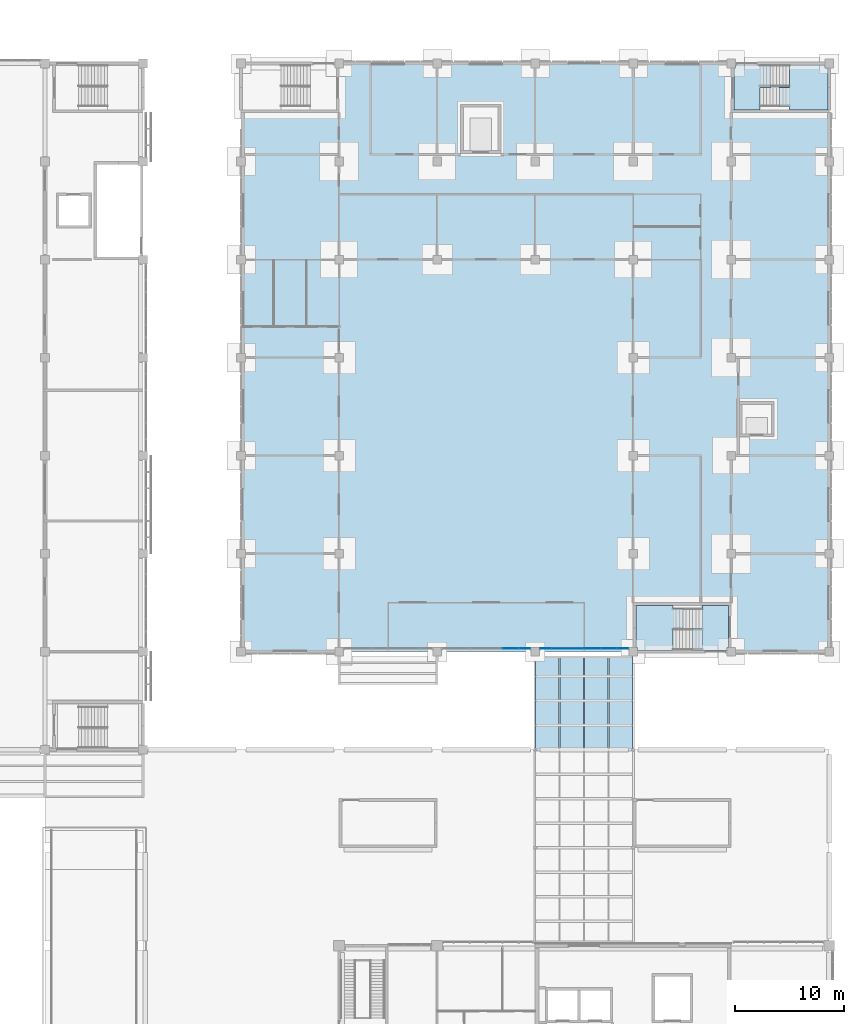
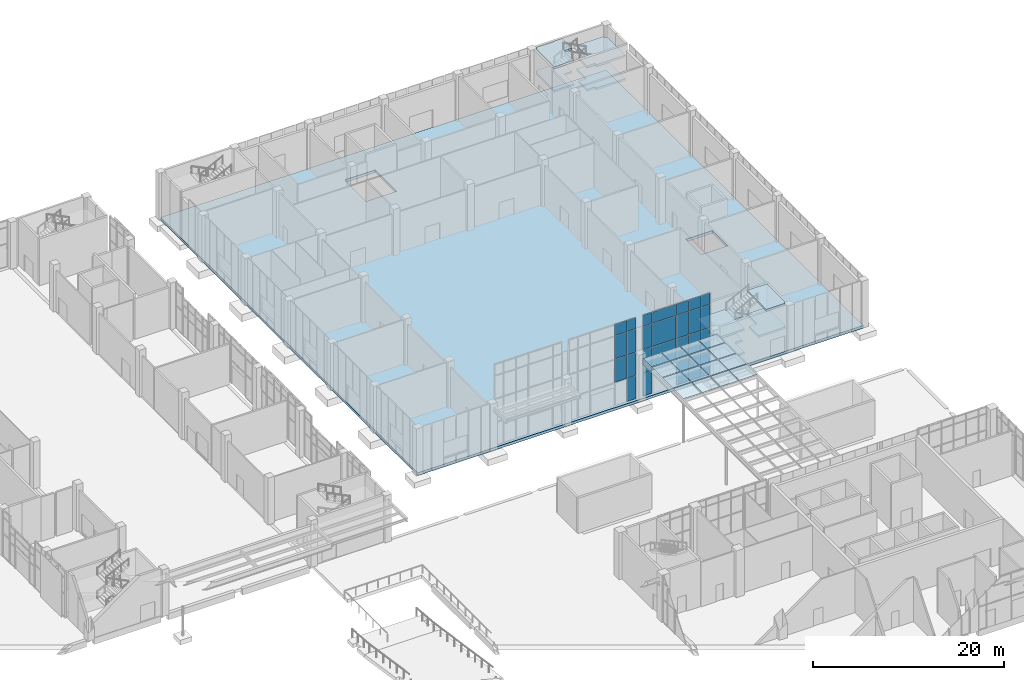
# One storey, part 49 of 86: 42 plates, 9 slabs, 4 elements without a shape of their own.
"""IFC4 building model written with IfcOpenShell, lengths in metres."""

import ifcopenshell
import ifcopenshell.guid

model = None  # the IFC model being written
_history = None  # IfcOwnerHistory: only IFC2X3 demands one
_inside = {}  # id of a spatial element -> (the spatial element, [elements in it])
_under = {}  # id of a project, library or spatial element -> (it, [spatial elements below it])
_declared = {}  # id of a project -> (the project, [libraries it declares])
_typed = {}  # id of a type object -> (the type object, [elements of that type])
_made_of = {}  # id of a material, layer set ... -> (it, [elements and type objects made of it])


def new_model(schema):
    """Start an empty IFC model of exactly this schema.

    Asked for "IFC4X3", IfcOpenShell would pick the latest addendum, in which some entities
    have other attributes; the version numbers below select the first issue.
    IFC2X3 requires an IfcOwnerHistory on every rooted entity: one is made here for all.
    """
    global model, _history
    if schema == "IFC4X3":
        model = ifcopenshell.file(schema_version=(4, 3, 0, 0))
    else:
        model = ifcopenshell.file(schema=schema)
    _inside.clear()
    _under.clear()
    _declared.clear()
    _typed.clear()
    _made_of.clear()
    _history = None
    if model.schema == "IFC2X3":
        org = make("IfcOrganization", Name="unknown")
        user = make(
            "IfcPersonAndOrganization",
            ThePerson=make("IfcPerson", FamilyName="unknown"),
            TheOrganization=org,
        )
        app = make(
            "IfcApplication",
            ApplicationDeveloper=org,
            Version="unknown",
            ApplicationFullName="unknown",
            ApplicationIdentifier="unknown",
        )
        _history = make(
            "IfcOwnerHistory",
            OwningUser=user,
            OwningApplication=app,
            ChangeAction="ADDED",
            CreationDate=0,
        )
    return model


def make(cls, **values):
    """One entity of the class cls with the attributes given. An attribute that is None is left unset."""
    return model.create_entity(
        cls, **{name: value for name, value in values.items() if value is not None}
    )


def rooted(cls, **values):
    """An entity with a GlobalId (a new one), such as an element, a storey or a relation."""
    return make(cls, GlobalId=ifcopenshell.guid.new(), OwnerHistory=_history, **values)


def si_unit(unit_type, name, prefix=None):
    """IfcSIUnit, for example si_unit("LENGTHUNIT", "METRE", prefix="MILLI")."""
    return make("IfcSIUnit", UnitType=unit_type, Prefix=prefix, Name=name)


def assignment(units):
    """IfcUnitAssignment: the units of a project."""
    return None if units is None else make("IfcUnitAssignment", Units=units)


def point(xyz):
    """IfcCartesianPoint."""
    return None if xyz is None else make("IfcCartesianPoint", Coordinates=xyz)


def direction(xyz):
    """IfcDirection."""
    return None if xyz is None else make("IfcDirection", DirectionRatios=xyz)


def frame(location, z_axis=None, x_axis=None):
    """IfcAxis2Placement3D, a coordinate frame: its origin and axes. An axis left out is left unset."""
    return make(
        "IfcAxis2Placement3D",
        Location=point(location),
        Axis=direction(z_axis),
        RefDirection=direction(x_axis),
    )


def frame_2d(location, x_axis=None):
    """IfcAxis2Placement2D, a coordinate frame in the plane: its origin and x axis."""
    return make(
        "IfcAxis2Placement2D", Location=point(location), RefDirection=direction(x_axis)
    )


def origin():
    """The frame at (0, 0, 0) with its axes left unset."""
    return frame((0.0, 0.0, 0.0))


def origin_2d():
    """The frame at (0, 0) in the plane with its x axis left unset."""
    return frame_2d((0.0, 0.0))


def place(relative_to, where):
    """IfcLocalPlacement: puts the frame where relative to a parent placement (None: the world)."""
    return make(
        "IfcLocalPlacement", PlacementRelTo=relative_to, RelativePlacement=where
    )


def context(
    kind, dimensions, precision=None, world=None, true_north=None, identifier=None
):
    """IfcGeometricRepresentationContext, for example the 3D "Model" context."""
    return make(
        "IfcGeometricRepresentationContext",
        ContextIdentifier=identifier,
        ContextType=kind,
        CoordinateSpaceDimension=dimensions,
        Precision=precision,
        WorldCoordinateSystem=world,
        TrueNorth=true_north,
    )


def subcontext(parent, identifier, kind, view, scale=None):
    """IfcGeometricRepresentationSubContext, for example "Body" below "Model"."""
    return make(
        "IfcGeometricRepresentationSubContext",
        ContextIdentifier=identifier,
        ContextType=kind,
        ParentContext=parent,
        TargetScale=scale,
        TargetView=view,
    )


def project(units=None, contexts=None):
    """IfcProject with its units and contexts."""
    return rooted(
        "IfcProject",
        Name="project",
        RepresentationContexts=contexts,
        UnitsInContext=assignment(units),
    )


def spatial(cls, under=None, at=None, **own):
    """A site, building, storey or space (cls), placed at a placement, below another one or the project."""
    s = rooted(cls, ObjectPlacement=at, **own)
    if under is not None:
        _under.setdefault(under.id(), (under, []))[1].append(s)
    return s


def polyline(points):
    """IfcPolyline through the points."""
    return make("IfcPolyline", Points=[point(p) for p in points])


def profile(cls, at=None, kind="AREA", **sizes):
    """A parametric profile (cls). Its sizes go by their IFC names, for example OverallWidth=200.0."""
    return make(cls, ProfileType=kind, Position=at, **sizes)


def rectangle(**sizes):
    """IfcRectangleProfileDef."""
    return profile("IfcRectangleProfileDef", **sizes)


def outline(outer, holes=None, kind="AREA"):
    """IfcArbitraryClosedProfileDef: a profile drawn as a closed curve; with holes, ...WithVoids."""
    if holes is None:
        return make("IfcArbitraryClosedProfileDef", ProfileType=kind, OuterCurve=outer)
    return make(
        "IfcArbitraryProfileDefWithVoids",
        ProfileType=kind,
        OuterCurve=outer,
        InnerCurves=holes,
    )


def extrude(swept, where, along, depth):
    """IfcExtrudedAreaSolid: the profile swept, set in the frame where, extruded along a direction by depth."""
    return make(
        "IfcExtrudedAreaSolid",
        SweptArea=swept,
        Position=where,
        ExtrudedDirection=direction(along),
        Depth=depth,
    )


def shape(context_of_items, identifier, shape_type, items):
    """IfcShapeRepresentation: the items that make up one representation, for example the "Body"."""
    return make(
        "IfcShapeRepresentation",
        ContextOfItems=context_of_items,
        RepresentationIdentifier=identifier,
        RepresentationType=shape_type,
        Items=items,
    )


def material(Name=None, Category=None):
    """IfcMaterial."""
    return make("IfcMaterial", Name=Name, Category=Category)


def layer(
    of_material, thickness, ventilated=None, Name=None, Category=None, Priority=None
):
    """IfcMaterialLayer: one layer of a wall or slab, of a material (None: an air gap)."""
    return make(
        "IfcMaterialLayer",
        Material=of_material,
        LayerThickness=thickness,
        IsVentilated=ventilated,
        Name=Name,
        Category=Category,
        Priority=Priority,
    )


def layer_set(layers, Name=None):
    """IfcMaterialLayerSet."""
    return make("IfcMaterialLayerSet", MaterialLayers=layers, LayerSetName=Name)


def made_of(thing, what):
    """Note that an element or type object is made of a material, layer set ...; save() writes the relation."""
    if what is not None:
        _made_of.setdefault(what.id(), (what, []))[1].append(thing)
    return thing


def type_object(cls, material=None, **own):
    """A type object (cls), such as IfcWallType, which elements share."""
    return made_of(rooted(cls, **own), material)


def element(
    cls,
    number,
    at=None,
    inside=None,
    cuts=None,
    type_object=None,
    material=None,
    context=None,
    identifier="Body",
    shape_type=None,
    held_by="IfcProductDefinitionShape",
    body=None,
    shapes=None,
    **own,
):
    """One element of the class cls, such as IfcWall. Its Tag is "e" and its number.

    at: its placement. inside: the storey or other place that contains it. cuts: it is an
    opening in that element (IfcRelVoidsElement). A single representation is given by context,
    identifier, shape_type and body (its items); several are given by shapes. held_by: the class
    of the entity that holds the representations. save() writes the other relations.
    """
    e = rooted(cls, Tag="e%d" % number, ObjectPlacement=at, **own)
    if body is not None:
        shapes = [shape(context, identifier, shape_type, body)]
    if shapes is not None:
        e.Representation = make(held_by, Representations=shapes)
    if inside is not None:
        _inside.setdefault(inside.id(), (inside, []))[1].append(e)
    if cuts is not None:
        rooted(
            "IfcRelVoidsElement", RelatingBuildingElement=cuts, RelatedOpeningElement=e
        )
    if type_object is not None:
        _typed.setdefault(type_object.id(), (type_object, []))[1].append(e)
    return made_of(e, material)


def aggregate(whole, parts):
    """IfcRelAggregates: a whole, such as a stair, and the parts it consists of."""
    return rooted("IfcRelAggregates", RelatingObject=whole, RelatedObjects=parts)


def save(model, path):
    """Write the relations noted so far, then the file.

    IfcRelAggregates (storeys below a building ...), IfcRelContainedInSpatialStructure (elements
    in a storey), IfcRelDefinesByType, IfcRelAssociatesMaterial and IfcRelDeclares: one each for
    every whole, place, type object, material and project.
    """
    for whole, parts in _under.values():
        aggregate(whole, parts)
    for where, things in _inside.values():
        rooted(
            "IfcRelContainedInSpatialStructure",
            RelatedElements=things,
            RelatingStructure=where,
        )
    for kind, things in _typed.values():
        rooted("IfcRelDefinesByType", RelatedObjects=things, RelatingType=kind)
    for what, things in _made_of.values():
        rooted("IfcRelAssociatesMaterial", RelatedObjects=things, RelatingMaterial=what)
    for by, libraries in _declared.values():
        rooted("IfcRelDeclares", RelatingContext=by, RelatedDefinitions=libraries)
    model.write(path)


model = new_model("IFC4")

# Units and contexts
model_context = context("Model", 3, precision=1e-05, world=origin(), true_north=direction((0.0, 1.0)))
body_context = subcontext(model_context, "Body", "Model", "MODEL_VIEW")
ifc_project = project(units=[si_unit("LENGTHUNIT", "METRE"), si_unit("AREAUNIT", "SQUARE_METRE"), si_unit("VOLUMEUNIT", "CUBIC_METRE"), si_unit("PLANEANGLEUNIT", "RADIAN"), si_unit("MASSUNIT", "GRAM", prefix="KILO")], contexts=[model_context])

# Site, building, storey
site_placement = place(None, origin())
site = spatial("IfcSite", under=ifc_project, at=site_placement, CompositionType="ELEMENT")
building_placement = place(site_placement, origin())
building = spatial("IfcBuilding", under=site, at=building_placement, Name="Guidao Yard Department Store", CompositionType="ELEMENT")
storey_placement = place(building_placement, origin())
storey = spatial("IfcBuildingStorey", under=building, at=storey_placement, Name="L00", CompositionType="ELEMENT", Elevation=0.0)

# Slab
ifc_material_1 = material(Name="Concrete C35", Category="concrete")
ifc_layer_1 = layer(ifc_material_1, 0.35009765625)
ifc_layer_set_1 = layer_set([ifc_layer_1], Name="Base slab 350 C35")
slab_type_1 = type_object("IfcSlabType", Name="Base slab 350 C35", PredefinedType="BASESLAB", material=ifc_layer_set_1)
slab_1_placement = place(storey_placement, frame((0.0, 0.0, -0.35009765625)))
element("IfcSlab", 1, at=slab_1_placement, inside=storey, type_object=slab_type_1, Name="Slab L00-F", PredefinedType="BASESLAB", context=body_context, shape_type="SweptSolid", body=[
    extrude(outline(polyline([(117.0, 108.0), (171.0, 108.0), (171.0, 54.0), (117.0, 54.0), (117.0, 108.0)]), holes=[polyline([(165.949951171875, 73.75), (165.949951171875, 76.949951171875), (162.75, 76.949951171875), (162.75, 73.75), (165.949951171875, 73.75)]), polyline([(140.85009765625, 99.75), (140.85009765625, 104.25), (137.14990234375, 104.25), (137.14990234375, 99.75), (140.85009765625, 99.75)])]), origin(), (0.0, 0.0, 1.0), 0.35009765625),
])

# Plates
ifc_material_2 = material(Name="Laminated glass", Category="glass")
ifc_layer_2 = layer(ifc_material_2, 0.021484375)
ifc_layer_set_2 = layer_set([ifc_layer_2], Name="Canopy glass CG1 laminated 10+10")
plate_type_1 = type_object("IfcPlateType", Name="Canopy glass CG1 laminated 10+10", PredefinedType="SHEET", material=ifc_layer_set_2)
for number, where, z_axis, x_axis, name in (
    (2, (145.125, 46.125, 5.449951171875), (0.0, 0.0, 1.0), (1.0, 0.0, 0.0), "Yard walkway glazing 1.9"),
    (3, (145.125, 48.375, 5.449951171875), (0.0, 0.0, 1.0), (1.0, 0.0, 0.0), "Yard walkway glazing 1.10"),
    (4, (145.125, 50.625, 5.449951171875), (0.0, 0.0, 1.0), (1.0, 0.0, 0.0), "Yard walkway glazing 1.11"),
):
    element("IfcPlate", number, at=place(storey_placement, frame(where, z_axis=z_axis, x_axis=x_axis)), inside=storey, type_object=plate_type_1, Name=name, PredefinedType="SHEET", context=body_context, shape_type="SweptSolid", body=[
        extrude(rectangle(XDim=2.169921875, YDim=2.169921875, at=origin_2d()), origin(), (0.0, 0.0, 1.0), 0.021484375),
    ])
plate_1_placement = place(storey_placement, frame((145.125, 52.675048828125, 5.449951171875), z_axis=(0.0, 0.0, 1.0), x_axis=(1.0, 0.0, 0.0)))
element("IfcPlate", 5, at=plate_1_placement, inside=storey, type_object=plate_type_1, Name="Yard walkway glazing 1.12", PredefinedType="SHEET", context=body_context, shape_type="SweptSolid", body=[
    extrude(rectangle(XDim=2.169921875, YDim=1.77001953125, at=origin_2d()), origin(), (0.0, 0.0, 1.0), 0.021484375),
])
for number, where, z_axis, x_axis, name in (
    (6, (147.375, 46.125, 5.449951171875), (0.0, 0.0, 1.0), (1.0, 0.0, 0.0), "Yard walkway glazing 2.9"),
    (7, (147.375, 48.375, 5.449951171875), (0.0, 0.0, 1.0), (1.0, 0.0, 0.0), "Yard walkway glazing 2.10"),
    (8, (147.375, 50.625, 5.449951171875), (0.0, 0.0, 1.0), (1.0, 0.0, 0.0), "Yard walkway glazing 2.11"),
):
    element("IfcPlate", number, at=place(storey_placement, frame(where, z_axis=z_axis, x_axis=x_axis)), inside=storey, type_object=plate_type_1, Name=name, PredefinedType="SHEET", context=body_context, shape_type="SweptSolid", body=[
        extrude(rectangle(XDim=2.169921875, YDim=2.169921875, at=origin_2d()), origin(), (0.0, 0.0, 1.0), 0.021484375),
    ])
plate_2_placement = place(storey_placement, frame((147.375, 52.675048828125, 5.449951171875), z_axis=(0.0, 0.0, 1.0), x_axis=(1.0, 0.0, 0.0)))
element("IfcPlate", 9, at=plate_2_placement, inside=storey, type_object=plate_type_1, Name="Yard walkway glazing 2.12", PredefinedType="SHEET", context=body_context, shape_type="SweptSolid", body=[
    extrude(rectangle(XDim=2.169921875, YDim=1.77001953125, at=origin_2d()), origin(), (0.0, 0.0, 1.0), 0.021484375),
])
for number, where, z_axis, x_axis, name in (
    (10, (149.625, 46.125, 5.449951171875), (0.0, 0.0, 1.0), (1.0, 0.0, 0.0), "Yard walkway glazing 3.9"),
    (11, (149.625, 48.375, 5.449951171875), (0.0, 0.0, 1.0), (1.0, 0.0, 0.0), "Yard walkway glazing 3.10"),
    (12, (149.625, 50.625, 5.449951171875), (0.0, 0.0, 1.0), (1.0, 0.0, 0.0), "Yard walkway glazing 3.11"),
):
    element("IfcPlate", number, at=place(storey_placement, frame(where, z_axis=z_axis, x_axis=x_axis)), inside=storey, type_object=plate_type_1, Name=name, PredefinedType="SHEET", context=body_context, shape_type="SweptSolid", body=[
        extrude(rectangle(XDim=2.169921875, YDim=2.169921875, at=origin_2d()), origin(), (0.0, 0.0, 1.0), 0.021484375),
    ])
plate_3_placement = place(storey_placement, frame((149.625, 52.675048828125, 5.449951171875), z_axis=(0.0, 0.0, 1.0), x_axis=(1.0, 0.0, 0.0)))
element("IfcPlate", 13, at=plate_3_placement, inside=storey, type_object=plate_type_1, Name="Yard walkway glazing 3.12", PredefinedType="SHEET", context=body_context, shape_type="SweptSolid", body=[
    extrude(rectangle(XDim=2.169921875, YDim=1.77001953125, at=origin_2d()), origin(), (0.0, 0.0, 1.0), 0.021484375),
])
for number, where, z_axis, x_axis, name in (
    (14, (151.875, 46.125, 5.449951171875), (0.0, 0.0, 1.0), (1.0, 0.0, 0.0), "Yard walkway glazing 4.9"),
    (15, (151.875, 48.375, 5.449951171875), (0.0, 0.0, 1.0), (1.0, 0.0, 0.0), "Yard walkway glazing 4.10"),
    (16, (151.875, 50.625, 5.449951171875), (0.0, 0.0, 1.0), (1.0, 0.0, 0.0), "Yard walkway glazing 4.11"),
):
    element("IfcPlate", number, at=place(storey_placement, frame(where, z_axis=z_axis, x_axis=x_axis)), inside=storey, type_object=plate_type_1, Name=name, PredefinedType="SHEET", context=body_context, shape_type="SweptSolid", body=[
        extrude(rectangle(XDim=2.169921875, YDim=2.169921875, at=origin_2d()), origin(), (0.0, 0.0, 1.0), 0.021484375),
    ])
plate_4_placement = place(storey_placement, frame((151.875, 52.675048828125, 5.449951171875), z_axis=(0.0, 0.0, 1.0), x_axis=(1.0, 0.0, 0.0)))
element("IfcPlate", 17, at=plate_4_placement, inside=storey, type_object=plate_type_1, Name="Yard walkway glazing 4.12", PredefinedType="SHEET", context=body_context, shape_type="SweptSolid", body=[
    extrude(rectangle(XDim=2.169921875, YDim=1.77001953125, at=origin_2d()), origin(), (0.0, 0.0, 1.0), 0.021484375),
])

# Curtain wall, plates
ifc_material_3 = material(Name="Stainless steel and glass", Category="steel")
ifc_layer_3 = layer(ifc_material_3, 0.159912109375)
ifc_layer_set_3 = layer_set([ifc_layer_3], Name="Food hall front curtain wall CW3 1500 module")
curtain_wall_type = type_object("IfcCurtainWallType", Name="Food hall front curtain wall CW3 1500 module", PredefinedType="NOTDEFINED", material=ifc_layer_set_3)
curtain_wall_1_placement = place(storey_placement, origin())
curtain_wall_1 = element("IfcCurtainWall", 18, at=curtain_wall_1_placement, inside=storey, type_object=curtain_wall_type, Name="Food hall front curtain wall", PredefinedType="NOTDEFINED")
ifc_material_4 = material(Name="Aluminium 6063-T5 faced insulated spandrel", Category="aluminium")
ifc_layer_4 = layer(ifc_material_4, 0.06005859375)
ifc_layer_set_4 = layer_set([ifc_layer_4], Name="Spandrel panel SP1 insulated opaque")
plate_type_2 = type_object("IfcPlateType", Name="Spandrel panel SP1 insulated opaque", PredefinedType="CURTAIN_PANEL", material=ifc_layer_set_4)
plate_5_placement = place(storey_placement, frame((141.75, 54.280029296875, 9.0302734375), z_axis=(0.0, 0.0, 1.0), x_axis=(-1.0, 0.0, 0.0)))
plate_5 = element("IfcPlate", 19, at=plate_5_placement, type_object=plate_type_2, Name="CW-FH-L00-02 panel 4.4", PredefinedType="CURTAIN_PANEL", context=body_context, shape_type="SweptSolid", body=[
    extrude(rectangle(XDim=1.43994140625, YDim=0.06005859375, at=origin_2d()), origin(), (0.0, 0.0, 1.0), 1.409912109375),
])
plate_6_placement = place(storey_placement, frame((143.034912109375, 54.280029296875, 9.0302734375), z_axis=(0.0, 0.0, 1.0), x_axis=(-1.0, 0.0, 0.0)))
plate_6 = element("IfcPlate", 20, at=plate_6_placement, type_object=plate_type_2, Name="CW-FH-L00-02 panel 5.4", PredefinedType="CURTAIN_PANEL", context=body_context, shape_type="SweptSolid", body=[
    extrude(rectangle(XDim=1.010009765625, YDim=0.06005859375, at=origin_2d()), origin(), (0.0, 0.0, 1.0), 1.409912109375),
])

curtain_wall_2_placement = place(storey_placement, origin())
curtain_wall_2 = element("IfcCurtainWall", 21, at=curtain_wall_2_placement, inside=storey, type_object=curtain_wall_type, Name="Food hall front curtain wall", PredefinedType="NOTDEFINED")
plate_7_placement = place(storey_placement, frame((144.965087890625, 54.280029296875, 9.0302734375), z_axis=(0.0, 0.0, 1.0), x_axis=(-1.0, 0.0, 0.0)))
plate_7 = element("IfcPlate", 22, at=plate_7_placement, type_object=plate_type_2, Name="CW-FH-L00-03 panel 1.4", PredefinedType="CURTAIN_PANEL", context=body_context, shape_type="SweptSolid", body=[
    extrude(rectangle(XDim=1.010009765625, YDim=0.06005859375, at=origin_2d()), origin(), (0.0, 0.0, 1.0), 1.409912109375),
])
plate_8_placement = place(storey_placement, frame((147.0, 54.280029296875, 9.0302734375), z_axis=(0.0, 0.0, 1.0), x_axis=(-1.0, 0.0, 0.0)))
plate_8 = element("IfcPlate", 23, at=plate_8_placement, type_object=plate_type_2, Name="CW-FH-L00-03 panel 2.4", PredefinedType="CURTAIN_PANEL", context=body_context, shape_type="SweptSolid", body=[
    extrude(rectangle(XDim=2.93994140625, YDim=0.06005859375, at=origin_2d()), origin(), (0.0, 0.0, 1.0), 1.409912109375),
])
plate_9_placement = place(storey_placement, frame((149.25, 54.280029296875, 9.0302734375), z_axis=(0.0, 0.0, 1.0), x_axis=(-1.0, 0.0, 0.0)))
plate_9 = element("IfcPlate", 24, at=plate_9_placement, type_object=plate_type_2, Name="CW-FH-L00-03 panel 3.4", PredefinedType="CURTAIN_PANEL", context=body_context, shape_type="SweptSolid", body=[
    extrude(rectangle(XDim=1.43994140625, YDim=0.06005859375, at=origin_2d()), origin(), (0.0, 0.0, 1.0), 1.409912109375),
])
plate_10_placement = place(storey_placement, frame((150.75, 54.280029296875, 9.0302734375), z_axis=(0.0, 0.0, 1.0), x_axis=(-1.0, 0.0, 0.0)))
plate_10 = element("IfcPlate", 25, at=plate_10_placement, type_object=plate_type_2, Name="CW-FH-L00-03 panel 4.4", PredefinedType="CURTAIN_PANEL", context=body_context, shape_type="SweptSolid", body=[
    extrude(rectangle(XDim=1.43994140625, YDim=0.06005859375, at=origin_2d()), origin(), (0.0, 0.0, 1.0), 1.409912109375),
])
plate_11_placement = place(storey_placement, frame((152.034912109375, 54.280029296875, 9.0302734375), z_axis=(0.0, 0.0, 1.0), x_axis=(-1.0, 0.0, 0.0)))
plate_11 = element("IfcPlate", 26, at=plate_11_placement, type_object=plate_type_2, Name="CW-FH-L00-03 panel 5.4", PredefinedType="CURTAIN_PANEL", context=body_context, shape_type="SweptSolid", body=[
    extrude(rectangle(XDim=1.010009765625, YDim=0.06005859375, at=origin_2d()), origin(), (0.0, 0.0, 1.0), 1.409912109375),
])

# Stair, slabs
ifc_material_5 = material(Name="Concrete C35", Category="concrete")
stair_type = type_object("IfcStairType", Name="Stair double-return four-flight 1800 wide 6.0 m rise", PredefinedType="DOUBLE_RETURN_STAIR", material=ifc_material_5)
stair_1_placement = place(storey_placement, origin())
stair_1 = element("IfcStair", 27, at=stair_1_placement, inside=storey, type_object=stair_type, Name="Stair F1 L00 to L01", PredefinedType="DOUBLE_RETURN_STAIR")
ifc_material_6 = material(Name="Concrete C35", Category="concrete")
ifc_layer_5 = layer(ifc_material_6, 0.25)
ifc_layer_set_5 = layer_set([ifc_layer_5], Name="Stair landing RC 250 C35")
slab_type_2 = type_object("IfcSlabType", Name="Stair landing RC 250 C35", PredefinedType="LANDING", material=ifc_layer_set_5)
slab_2_placement = place(storey_placement, frame((0.0, 0.0, 1.25)))
slab_2 = element("IfcSlab", 28, at=slab_2_placement, type_object=slab_type_2, Name="SF1-L00 landing 1", PredefinedType="LANDING", context=body_context, shape_type="SweptSolid", body=[
    extrude(outline(polyline([(153.39990234375, 54.125), (153.39990234375, 54.39990234375), (153.25, 54.39990234375), (153.25, 58.25), (156.64990234375, 58.25), (156.64990234375, 57.97509765625), (157.610107421875, 57.97509765625), (157.610107421875, 56.175048828125), (156.659912109375, 56.175048828125), (156.659912109375, 54.125), (156.64990234375, 54.125), (153.39990234375, 54.125)])), origin(), (0.0, 0.0, 1.0), 0.25),
])
slab_3_placement = place(storey_placement, frame((0.0, 0.0, 2.75)))
slab_3 = element("IfcSlab", 29, at=slab_3_placement, type_object=slab_type_2, Name="SF1-L00 landing 2", PredefinedType="LANDING", context=body_context, shape_type="SweptSolid", body=[
    extrude(outline(polyline([(159.340087890625, 56.175048828125), (159.340087890625, 57.97509765625), (159.35009765625, 57.97509765625), (159.35009765625, 58.25), (161.75, 58.25), (161.75, 54.39990234375), (161.60009765625, 54.39990234375), (161.60009765625, 54.125), (159.35009765625, 54.125), (158.389892578125, 54.125), (158.389892578125, 56.175048828125), (159.340087890625, 56.175048828125)])), origin(), (0.0, 0.0, 1.0), 0.25),
])
slab_4_placement = place(storey_placement, frame((0.0, 0.0, 4.25)))
slab_4 = element("IfcSlab", 30, at=slab_4_placement, type_object=slab_type_2, Name="SF1-L00 landing 3", PredefinedType="LANDING", context=body_context, shape_type="SweptSolid", body=[
    extrude(outline(polyline([(153.39990234375, 54.125), (153.39990234375, 54.39990234375), (153.25, 54.39990234375), (153.25, 58.25), (156.64990234375, 58.25), (156.64990234375, 57.97509765625), (157.610107421875, 57.97509765625), (157.610107421875, 56.175048828125), (156.659912109375, 56.175048828125), (156.659912109375, 54.125), (156.64990234375, 54.125), (153.39990234375, 54.125)])), origin(), (0.0, 0.0, 1.0), 0.25),
])
slab_5_placement = place(storey_placement, frame((0.0, 0.0, 5.75)))
slab_5 = element("IfcSlab", 31, at=slab_5_placement, type_object=slab_type_2, Name="SF1-L00 landing 4", PredefinedType="LANDING", context=body_context, shape_type="SweptSolid", body=[
    extrude(outline(polyline([(159.35009765625, 56.175048828125), (159.340087890625, 56.175048828125), (159.340087890625, 58.25), (161.75, 58.25), (161.75, 56.175048828125), (161.75, 54.39990234375), (161.60009765625, 54.39990234375), (161.60009765625, 54.199951171875), (159.35009765625, 54.199951171875), (159.35009765625, 56.175048828125)])), origin(), (0.0, 0.0, 1.0), 0.25),
])
aggregate(stair_1, [slab_2, slab_3, slab_4, slab_5])

stair_2_placement = place(storey_placement, origin())
stair_2 = element("IfcStair", 32, at=stair_2_placement, inside=storey, type_object=stair_type, Name="Stair F2 L00 to L01", PredefinedType="DOUBLE_RETURN_STAIR")
slab_6_placement = place(storey_placement, frame((0.0, 0.0, 1.25)))
slab_6 = element("IfcSlab", 33, at=slab_6_placement, type_object=slab_type_2, Name="SF2-L00 landing 1", PredefinedType="LANDING", context=body_context, shape_type="SweptSolid", body=[
    extrude(outline(polyline([(167.340087890625, 105.824951171875), (167.340087890625, 107.875), (167.35009765625, 107.875), (170.60009765625, 107.875), (170.60009765625, 107.60009765625), (170.875, 107.60009765625), (170.875, 103.75), (167.35009765625, 103.75), (167.35009765625, 104.02490234375), (166.389892578125, 104.02490234375), (166.389892578125, 105.824951171875), (167.340087890625, 105.824951171875)])), origin(), (0.0, 0.0, 1.0), 0.25),
])
slab_7_placement = place(storey_placement, frame((0.0, 0.0, 2.75)))
slab_7 = element("IfcSlab", 34, at=slab_7_placement, type_object=slab_type_2, Name="SF2-L00 landing 2", PredefinedType="LANDING", context=body_context, shape_type="SweptSolid", body=[
    extrude(outline(polyline([(164.64990234375, 103.75), (162.25, 103.75), (162.25, 107.60009765625), (162.39990234375, 107.60009765625), (162.39990234375, 107.875), (164.64990234375, 107.875), (165.610107421875, 107.875), (165.610107421875, 105.824951171875), (164.659912109375, 105.824951171875), (164.659912109375, 104.02490234375), (164.64990234375, 104.02490234375), (164.64990234375, 103.75)])), origin(), (0.0, 0.0, 1.0), 0.25),
])
slab_8_placement = place(storey_placement, frame((0.0, 0.0, 4.25)))
slab_8 = element("IfcSlab", 35, at=slab_8_placement, type_object=slab_type_2, Name="SF2-L00 landing 3", PredefinedType="LANDING", context=body_context, shape_type="SweptSolid", body=[
    extrude(outline(polyline([(167.340087890625, 105.824951171875), (167.340087890625, 107.875), (167.35009765625, 107.875), (170.60009765625, 107.875), (170.60009765625, 107.60009765625), (170.875, 107.60009765625), (170.875, 103.75), (167.35009765625, 103.75), (167.35009765625, 104.02490234375), (166.389892578125, 104.02490234375), (166.389892578125, 105.824951171875), (167.340087890625, 105.824951171875)])), origin(), (0.0, 0.0, 1.0), 0.25),
])
slab_9_placement = place(storey_placement, frame((0.0, 0.0, 5.75)))
slab_9 = element("IfcSlab", 36, at=slab_9_placement, type_object=slab_type_2, Name="SF2-L00 landing 4", PredefinedType="LANDING", context=body_context, shape_type="SweptSolid", body=[
    extrude(outline(polyline([(162.25, 105.824951171875), (162.25, 107.60009765625), (162.39990234375, 107.60009765625), (162.39990234375, 107.800048828125), (164.64990234375, 107.800048828125), (164.64990234375, 107.875), (165.610107421875, 107.875), (165.610107421875, 105.824951171875), (164.659912109375, 105.824951171875), (164.659912109375, 103.75), (162.25, 103.75), (162.25, 105.824951171875)])), origin(), (0.0, 0.0, 1.0), 0.25),
])
aggregate(stair_2, [slab_6, slab_7, slab_8, slab_9])

# Plate
ifc_material_7 = material(Name="Laminated heat-soaked tempered glass", Category="glass")
ifc_layer_6 = layer(ifc_material_7, 0.017578125)
ifc_layer_set_6 = layer_set([ifc_layer_6], Name="Vision glass VG1 laminated heat-soaked tempered 8+8")
plate_type_3 = type_object("IfcPlateType", Name="Vision glass VG1 laminated heat-soaked tempered 8+8", PredefinedType="CURTAIN_PANEL", material=ifc_layer_set_6)
plate_12_placement = place(storey_placement, frame((141.75, 54.280029296875, 3.030029296875), z_axis=(0.0, 0.0, 1.0), x_axis=(-1.0, 0.0, 0.0)))
plate_12 = element("IfcPlate", 37, at=plate_12_placement, type_object=plate_type_3, Name="CW-FH-L00-02 panel 4.2", PredefinedType="CURTAIN_PANEL", context=body_context, shape_type="SweptSolid", body=[
    extrude(rectangle(XDim=1.43994140625, YDim=0.017578125, at=origin_2d()), origin(), (0.0, 0.0, 1.0), 2.93994140625),
])

plate_13_placement = place(storey_placement, frame((141.75, 54.280029296875, 6.030029296875), z_axis=(0.0, 0.0, 1.0), x_axis=(-1.0, 0.0, 0.0)))
plate_13 = element("IfcPlate", 38, at=plate_13_placement, type_object=plate_type_3, Name="CW-FH-L00-02 panel 4.3", PredefinedType="CURTAIN_PANEL", context=body_context, shape_type="SweptSolid", body=[
    extrude(rectangle(XDim=1.43994140625, YDim=0.017578125, at=origin_2d()), origin(), (0.0, 0.0, 1.0), 2.93994140625),
])

plate_14_placement = place(storey_placement, frame((143.034912109375, 54.280029296875, 0.06005859375), z_axis=(0.0, 0.0, 1.0), x_axis=(-1.0, 0.0, 0.0)))
plate_14 = element("IfcPlate", 39, at=plate_14_placement, type_object=plate_type_3, Name="CW-FH-L00-02 panel 5.1", PredefinedType="CURTAIN_PANEL", context=body_context, shape_type="SweptSolid", body=[
    extrude(rectangle(XDim=1.010009765625, YDim=0.017578125, at=origin_2d()), origin(), (0.0, 0.0, 1.0), 2.909912109375),
])

plate_15_placement = place(storey_placement, frame((143.034912109375, 54.280029296875, 3.030029296875), z_axis=(0.0, 0.0, 1.0), x_axis=(-1.0, 0.0, 0.0)))
plate_15 = element("IfcPlate", 40, at=plate_15_placement, type_object=plate_type_3, Name="CW-FH-L00-02 panel 5.2", PredefinedType="CURTAIN_PANEL", context=body_context, shape_type="SweptSolid", body=[
    extrude(rectangle(XDim=1.010009765625, YDim=0.017578125, at=origin_2d()), origin(), (0.0, 0.0, 1.0), 2.93994140625),
])

plate_16_placement = place(storey_placement, frame((143.034912109375, 54.280029296875, 6.030029296875), z_axis=(0.0, 0.0, 1.0), x_axis=(-1.0, 0.0, 0.0)))
plate_16 = element("IfcPlate", 41, at=plate_16_placement, type_object=plate_type_3, Name="CW-FH-L00-02 panel 5.3", PredefinedType="CURTAIN_PANEL", context=body_context, shape_type="SweptSolid", body=[
    extrude(rectangle(XDim=1.010009765625, YDim=0.017578125, at=origin_2d()), origin(), (0.0, 0.0, 1.0), 2.93994140625),
])

aggregate(curtain_wall_1, [plate_12, plate_13, plate_5, plate_14, plate_15, plate_16, plate_6])

plate_17_placement = place(storey_placement, frame((144.965087890625, 54.280029296875, 0.06005859375), z_axis=(0.0, 0.0, 1.0), x_axis=(-1.0, 0.0, 0.0)))
plate_17 = element("IfcPlate", 42, at=plate_17_placement, type_object=plate_type_3, Name="CW-FH-L00-03 panel 1.1", PredefinedType="CURTAIN_PANEL", context=body_context, shape_type="SweptSolid", body=[
    extrude(rectangle(XDim=1.010009765625, YDim=0.017578125, at=origin_2d()), origin(), (0.0, 0.0, 1.0), 2.909912109375),
])

plate_18_placement = place(storey_placement, frame((144.965087890625, 54.280029296875, 3.030029296875), z_axis=(0.0, 0.0, 1.0), x_axis=(-1.0, 0.0, 0.0)))
plate_18 = element("IfcPlate", 43, at=plate_18_placement, type_object=plate_type_3, Name="CW-FH-L00-03 panel 1.2", PredefinedType="CURTAIN_PANEL", context=body_context, shape_type="SweptSolid", body=[
    extrude(rectangle(XDim=1.010009765625, YDim=0.017578125, at=origin_2d()), origin(), (0.0, 0.0, 1.0), 2.93994140625),
])

plate_19_placement = place(storey_placement, frame((144.965087890625, 54.280029296875, 6.030029296875), z_axis=(0.0, 0.0, 1.0), x_axis=(-1.0, 0.0, 0.0)))
plate_19 = element("IfcPlate", 44, at=plate_19_placement, type_object=plate_type_3, Name="CW-FH-L00-03 panel 1.3", PredefinedType="CURTAIN_PANEL", context=body_context, shape_type="SweptSolid", body=[
    extrude(rectangle(XDim=1.010009765625, YDim=0.017578125, at=origin_2d()), origin(), (0.0, 0.0, 1.0), 2.93994140625),
])

plate_20_placement = place(storey_placement, frame((147.0, 54.280029296875, 3.030029296875), z_axis=(0.0, 0.0, 1.0), x_axis=(-1.0, 0.0, 0.0)))
plate_20 = element("IfcPlate", 45, at=plate_20_placement, type_object=plate_type_3, Name="CW-FH-L00-03 panel 2.2", PredefinedType="CURTAIN_PANEL", context=body_context, shape_type="SweptSolid", body=[
    extrude(rectangle(XDim=2.93994140625, YDim=0.017578125, at=origin_2d()), origin(), (0.0, 0.0, 1.0), 2.93994140625),
])

plate_21_placement = place(storey_placement, frame((147.0, 54.280029296875, 6.030029296875), z_axis=(0.0, 0.0, 1.0), x_axis=(-1.0, 0.0, 0.0)))
plate_21 = element("IfcPlate", 46, at=plate_21_placement, type_object=plate_type_3, Name="CW-FH-L00-03 panel 2.3", PredefinedType="CURTAIN_PANEL", context=body_context, shape_type="SweptSolid", body=[
    extrude(rectangle(XDim=2.93994140625, YDim=0.017578125, at=origin_2d()), origin(), (0.0, 0.0, 1.0), 2.93994140625),
])

plate_22_placement = place(storey_placement, frame((149.25, 54.280029296875, 0.06005859375), z_axis=(0.0, 0.0, 1.0), x_axis=(-1.0, 0.0, 0.0)))
plate_22 = element("IfcPlate", 47, at=plate_22_placement, type_object=plate_type_3, Name="CW-FH-L00-03 panel 3.1", PredefinedType="CURTAIN_PANEL", context=body_context, shape_type="SweptSolid", body=[
    extrude(rectangle(XDim=1.43994140625, YDim=0.017578125, at=origin_2d()), origin(), (0.0, 0.0, 1.0), 2.909912109375),
])

plate_23_placement = place(storey_placement, frame((149.25, 54.280029296875, 3.030029296875), z_axis=(0.0, 0.0, 1.0), x_axis=(-1.0, 0.0, 0.0)))
plate_23 = element("IfcPlate", 48, at=plate_23_placement, type_object=plate_type_3, Name="CW-FH-L00-03 panel 3.2", PredefinedType="CURTAIN_PANEL", context=body_context, shape_type="SweptSolid", body=[
    extrude(rectangle(XDim=1.43994140625, YDim=0.017578125, at=origin_2d()), origin(), (0.0, 0.0, 1.0), 2.93994140625),
])

plate_24_placement = place(storey_placement, frame((149.25, 54.280029296875, 6.030029296875), z_axis=(0.0, 0.0, 1.0), x_axis=(-1.0, 0.0, 0.0)))
plate_24 = element("IfcPlate", 49, at=plate_24_placement, type_object=plate_type_3, Name="CW-FH-L00-03 panel 3.3", PredefinedType="CURTAIN_PANEL", context=body_context, shape_type="SweptSolid", body=[
    extrude(rectangle(XDim=1.43994140625, YDim=0.017578125, at=origin_2d()), origin(), (0.0, 0.0, 1.0), 2.93994140625),
])

plate_25_placement = place(storey_placement, frame((150.75, 54.280029296875, 0.06005859375), z_axis=(0.0, 0.0, 1.0), x_axis=(-1.0, 0.0, 0.0)))
plate_25 = element("IfcPlate", 50, at=plate_25_placement, type_object=plate_type_3, Name="CW-FH-L00-03 panel 4.1", PredefinedType="CURTAIN_PANEL", context=body_context, shape_type="SweptSolid", body=[
    extrude(rectangle(XDim=1.43994140625, YDim=0.017578125, at=origin_2d()), origin(), (0.0, 0.0, 1.0), 2.909912109375),
])

plate_26_placement = place(storey_placement, frame((150.75, 54.280029296875, 3.030029296875), z_axis=(0.0, 0.0, 1.0), x_axis=(-1.0, 0.0, 0.0)))
plate_26 = element("IfcPlate", 51, at=plate_26_placement, type_object=plate_type_3, Name="CW-FH-L00-03 panel 4.2", PredefinedType="CURTAIN_PANEL", context=body_context, shape_type="SweptSolid", body=[
    extrude(rectangle(XDim=1.43994140625, YDim=0.017578125, at=origin_2d()), origin(), (0.0, 0.0, 1.0), 2.93994140625),
])

plate_27_placement = place(storey_placement, frame((150.75, 54.280029296875, 6.030029296875), z_axis=(0.0, 0.0, 1.0), x_axis=(-1.0, 0.0, 0.0)))
plate_27 = element("IfcPlate", 52, at=plate_27_placement, type_object=plate_type_3, Name="CW-FH-L00-03 panel 4.3", PredefinedType="CURTAIN_PANEL", context=body_context, shape_type="SweptSolid", body=[
    extrude(rectangle(XDim=1.43994140625, YDim=0.017578125, at=origin_2d()), origin(), (0.0, 0.0, 1.0), 2.93994140625),
])

plate_28_placement = place(storey_placement, frame((152.034912109375, 54.280029296875, 0.06005859375), z_axis=(0.0, 0.0, 1.0), x_axis=(-1.0, 0.0, 0.0)))
plate_28 = element("IfcPlate", 53, at=plate_28_placement, type_object=plate_type_3, Name="CW-FH-L00-03 panel 5.1", PredefinedType="CURTAIN_PANEL", context=body_context, shape_type="SweptSolid", body=[
    extrude(rectangle(XDim=1.010009765625, YDim=0.017578125, at=origin_2d()), origin(), (0.0, 0.0, 1.0), 2.909912109375),
])

plate_29_placement = place(storey_placement, frame((152.034912109375, 54.280029296875, 3.030029296875), z_axis=(0.0, 0.0, 1.0), x_axis=(-1.0, 0.0, 0.0)))
plate_29 = element("IfcPlate", 54, at=plate_29_placement, type_object=plate_type_3, Name="CW-FH-L00-03 panel 5.2", PredefinedType="CURTAIN_PANEL", context=body_context, shape_type="SweptSolid", body=[
    extrude(rectangle(XDim=1.010009765625, YDim=0.017578125, at=origin_2d()), origin(), (0.0, 0.0, 1.0), 2.93994140625),
])

plate_30_placement = place(storey_placement, frame((152.034912109375, 54.280029296875, 6.030029296875), z_axis=(0.0, 0.0, 1.0), x_axis=(-1.0, 0.0, 0.0)))
plate_30 = element("IfcPlate", 55, at=plate_30_placement, type_object=plate_type_3, Name="CW-FH-L00-03 panel 5.3", PredefinedType="CURTAIN_PANEL", context=body_context, shape_type="SweptSolid", body=[
    extrude(rectangle(XDim=1.010009765625, YDim=0.017578125, at=origin_2d()), origin(), (0.0, 0.0, 1.0), 2.93994140625),
])

aggregate(curtain_wall_2, [plate_17, plate_18, plate_19, plate_7, plate_20, plate_21, plate_8, plate_22, plate_23, plate_24, plate_9, plate_25, plate_26, plate_27, plate_10, plate_28, plate_29, plate_30, plate_11])

save(model, "model.ifc")
